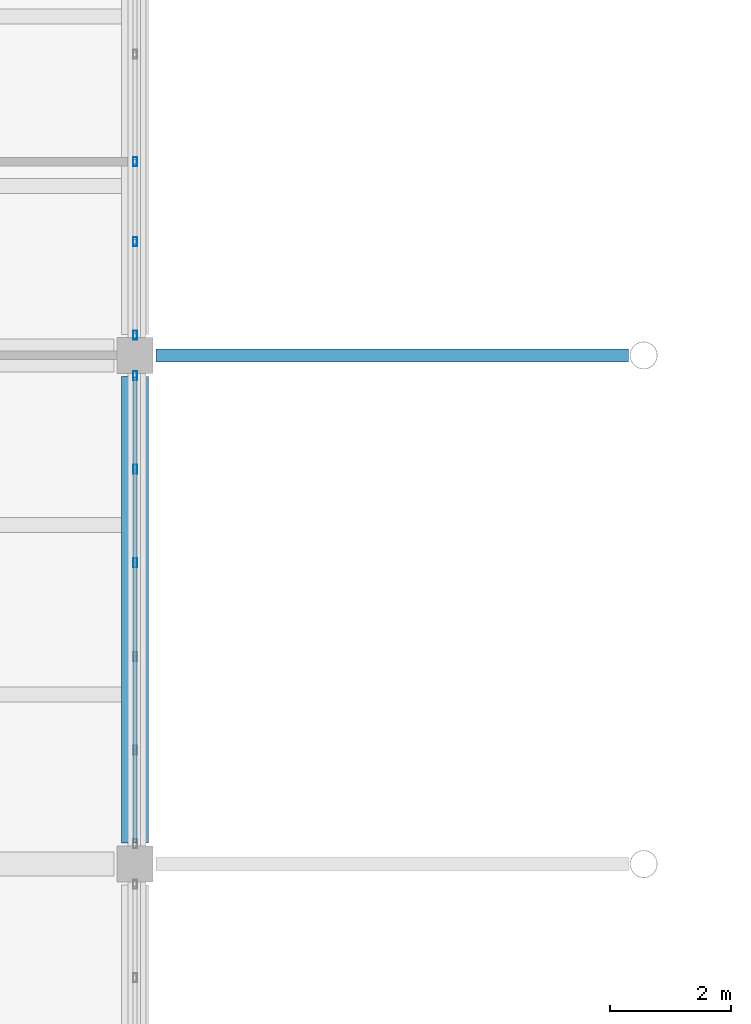
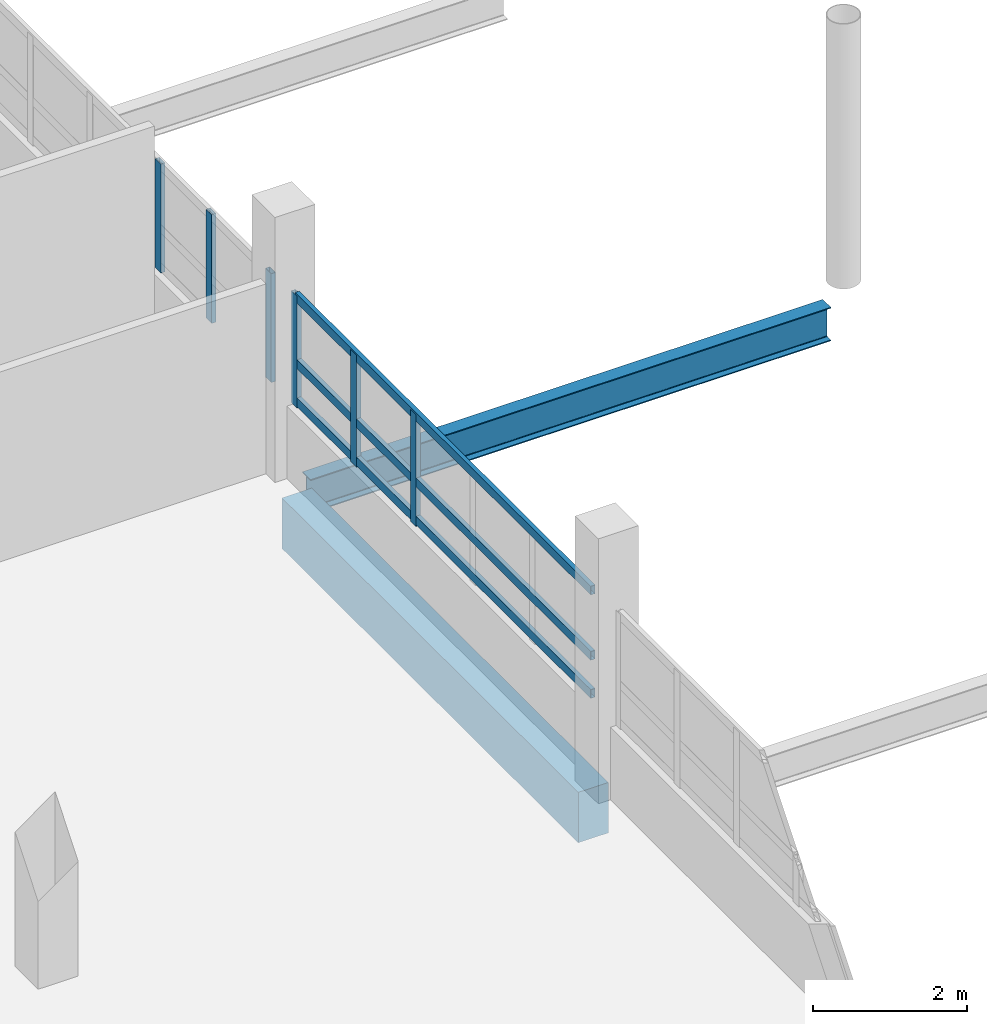
# One storey, part 31 of 101: 9 members, 2 beams, 2 elements without a shape of their own.
"""IFC4 building model written with IfcOpenShell, lengths in metres."""

from ifc_helpers import new_model, si_unit, direction, frame, origin, origin_2d, place, context, subcontext, project, spatial, rectangle, hollow_rectangle, i_section, extrude, material, layer, layer_set, material_profile, profile_set, type_object, element, aggregate, save


model = new_model("IFC4")

# Units and contexts
model_context = context("Model", 3, precision=1e-05, world=origin(), true_north=direction((0.0, 1.0)))
body_context = subcontext(model_context, "Body", "Model", "MODEL_VIEW")
ifc_project = project(units=[si_unit("LENGTHUNIT", "METRE"), si_unit("AREAUNIT", "SQUARE_METRE"), si_unit("VOLUMEUNIT", "CUBIC_METRE"), si_unit("PLANEANGLEUNIT", "RADIAN"), si_unit("MASSUNIT", "GRAM", prefix="KILO")], contexts=[model_context])

# Site, building, storey
site_placement = place(None, origin())
site = spatial("IfcSite", under=ifc_project, at=site_placement, CompositionType="ELEMENT")
building_placement = place(site_placement, origin())
building = spatial("IfcBuilding", under=site, at=building_placement, Name="Vireocrest Preparatory School", CompositionType="ELEMENT")
storey_placement = place(building_placement, frame((0.0, 0.0, 4.800048828125)))
storey = spatial("IfcBuildingStorey", under=building, at=storey_placement, Name="L01", CompositionType="ELEMENT", Elevation=4.800048828125)

# Curtain wall, members
ifc_material_1 = material(Name="Thermally broken aluminium EN AW-6063-T6", Category="aluminium")
ifc_layer = layer(ifc_material_1, 0.179931640625)
ifc_layer_set = layer_set([ifc_layer], Name="Thermally broken aluminium EN AW-6063-T6")
curtain_wall_type = type_object("IfcCurtainWallType", Name="Court Banded Curtain Wall 8400x3000", PredefinedType="USERDEFINED", material=ifc_layer_set)
curtain_wall_1_placement = place(storey_placement, origin())
curtain_wall_1 = element("IfcCurtainWall", 1, at=curtain_wall_1_placement, inside=storey, type_object=curtain_wall_type, Name="Curtain Wall CW02 CW_L01_CW02_0672_0525_060", ObjectType="CURTAIN WALL", PredefinedType="USERDEFINED")
ifc_material_profile_1 = material_profile(ifc_material_1, hollow_rectangle(XDim=0.06494140625, YDim=0.14990234375, WallThickness=0.00390625, at=origin_2d()), Name="ALU 65x150x4")
ifc_profile_set_1 = profile_set([ifc_material_profile_1], Name="Thermally broken aluminium EN AW-6063-T6")
member_type_1 = type_object("IfcMemberType", Name="CW Mullion 65x150x4", PredefinedType="MULLION", material=ifc_profile_set_1)
member_1_placement = place(storey_placement, frame((67.199951171875, 57.173095703125, 1.14990234375), z_axis=(0.0, 0.0, 1.0), x_axis=(1.0, 0.0, 0.0)))
member_1 = element("IfcMember", 2, at=member_1_placement, type_object=member_type_1, Name="CW Mullion ML1 CW_L01_CW02_0672_0525_060-4", PredefinedType="MULLION", context=body_context, shape_type="SweptSolid", body=[
    extrude(hollow_rectangle(XDim=0.06494140625, YDim=0.14990234375, WallThickness=0.00390625, at=origin_2d()), origin(), (0.0, 0.0, 1.0), 1.775146484375),
])
member_2_placement = place(storey_placement, frame((67.199951171875, 58.718994140625, 1.14990234375), z_axis=(0.0, 0.0, 1.0), x_axis=(1.0, 0.0, 0.0)))
member_2 = element("IfcMember", 3, at=member_2_placement, type_object=member_type_1, Name="CW Mullion ML1 CW_L01_CW02_0672_0525_060-5", PredefinedType="MULLION", context=body_context, shape_type="SweptSolid", body=[
    extrude(hollow_rectangle(XDim=0.06494140625, YDim=0.14990234375, WallThickness=0.00390625, at=origin_2d()), origin(), (0.0, 0.0, 1.0), 1.775146484375),
])
member_3_placement = place(storey_placement, frame((67.199951171875, 60.264892578125, 1.14990234375), z_axis=(0.0, 0.0, 1.0), x_axis=(1.0, 0.0, 0.0)))
member_3 = element("IfcMember", 4, at=member_3_placement, type_object=member_type_1, Name="CW Mullion ML1 CW_L01_CW02_0672_0525_060-6", PredefinedType="MULLION", context=body_context, shape_type="SweptSolid", body=[
    extrude(hollow_rectangle(XDim=0.06494140625, YDim=0.14990234375, WallThickness=0.00390625, at=origin_2d()), origin(), (0.0, 0.0, 1.0), 1.775146484375),
])

curtain_wall_2_placement = place(storey_placement, origin())
curtain_wall_2 = element("IfcCurtainWall", 5, at=curtain_wall_2_placement, inside=storey, type_object=curtain_wall_type, Name="Curtain Wall CW02 CW_L01_CW02_0672_0609_060", ObjectType="CURTAIN WALL", PredefinedType="USERDEFINED")
member_4_placement = place(storey_placement, frame((67.199951171875, 60.93505859375, 1.14990234375), z_axis=(0.0, 0.0, 1.0), x_axis=(1.0, 0.0, 0.0)))
member_4 = element("IfcMember", 6, at=member_4_placement, type_object=member_type_1, Name="CW Mullion ML1 CW_L01_CW02_0672_0609_060-1", PredefinedType="MULLION", context=body_context, shape_type="SweptSolid", body=[
    extrude(hollow_rectangle(XDim=0.06494140625, YDim=0.14990234375, WallThickness=0.00390625, at=origin_2d()), origin(), (0.0, 0.0, 1.0), 1.72509765625),
])
member_5_placement = place(storey_placement, frame((67.199951171875, 62.48095703125, 1.14990234375), z_axis=(0.0, 0.0, 1.0), x_axis=(1.0, 0.0, 0.0)))
member_5 = element("IfcMember", 7, at=member_5_placement, type_object=member_type_1, Name="CW Mullion ML1 CW_L01_CW02_0672_0609_060-2", PredefinedType="MULLION", context=body_context, shape_type="SweptSolid", body=[
    extrude(hollow_rectangle(XDim=0.06494140625, YDim=0.14990234375, WallThickness=0.00390625, at=origin_2d()), origin(), (0.0, 0.0, 1.0), 1.72509765625),
])
member_6_placement = place(storey_placement, frame((67.199951171875, 63.800048828125, 1.14990234375), z_axis=(0.0, 0.0, 1.0), x_axis=(1.0, 0.0, 0.0)))
member_6 = element("IfcMember", 8, at=member_6_placement, type_object=member_type_1, Name="CW Mullion ML1 CW_L01_CW02_0672_0609_060-3", PredefinedType="MULLION", context=body_context, shape_type="SweptSolid", body=[
    extrude(hollow_rectangle(XDim=0.06494140625, YDim=0.14990234375, WallThickness=0.00390625, at=origin_2d()), origin(), (0.0, 0.0, 1.0), 1.72509765625),
])
aggregate(curtain_wall_2, [member_4, member_5, member_6])

# Member
ifc_material_profile_2 = material_profile(ifc_material_1, hollow_rectangle(XDim=0.06494140625, YDim=0.139892578125, WallThickness=0.00390625, at=origin_2d()), Name="ALU 65x140x4")
ifc_profile_set_2 = profile_set([ifc_material_profile_2], Name="Thermally broken aluminium EN AW-6063-T6")
member_type_2 = type_object("IfcMemberType", Name="CW Transom 65x140x4", PredefinedType="USERDEFINED", material=ifc_profile_set_2)
member_7_placement = place(storey_placement, frame((67.199951171875, 52.56005859375, 1.244873046875), z_axis=(0.0, 1.0, 0.0), x_axis=(-1.0, 0.0, 0.0)))
member_7 = element("IfcMember", 9, at=member_7_placement, type_object=member_type_2, Name="CW Transom TR1 CW_L01_CW02_0672_0525_060-1", ObjectType="TRANSOM", PredefinedType="USERDEFINED", context=body_context, shape_type="SweptSolid", body=[
    extrude(hollow_rectangle(XDim=0.06494140625, YDim=0.139892578125, WallThickness=0.00390625, at=origin_2d()), origin(), (0.0, 0.0, 1.0), 7.679931640625),
])

member_8_placement = place(storey_placement, frame((67.199951171875, 52.56005859375, 1.849853515625), z_axis=(0.0, 1.0, 0.0), x_axis=(-1.0, 0.0, 0.0)))
member_8 = element("IfcMember", 10, at=member_8_placement, type_object=member_type_2, Name="CW Transom TR1 CW_L01_CW02_0672_0525_060-2", ObjectType="TRANSOM", PredefinedType="USERDEFINED", context=body_context, shape_type="SweptSolid", body=[
    extrude(hollow_rectangle(XDim=0.06494140625, YDim=0.139892578125, WallThickness=0.00390625, at=origin_2d()), origin(), (0.0, 0.0, 1.0), 7.679931640625),
])

member_9_placement = place(storey_placement, frame((67.199951171875, 52.56005859375, 2.885009765625), z_axis=(0.0, 1.0, 0.0), x_axis=(-1.0, 0.0, 0.0)))
member_9 = element("IfcMember", 11, at=member_9_placement, type_object=member_type_2, Name="CW Transom TR1 CW_L01_CW02_0672_0525_060-3", ObjectType="TRANSOM", PredefinedType="USERDEFINED", context=body_context, shape_type="SweptSolid", body=[
    extrude(hollow_rectangle(XDim=0.06494140625, YDim=0.139892578125, WallThickness=0.00390625, at=origin_2d()), origin(), (0.0, 0.0, 1.0), 7.679931640625),
])

aggregate(curtain_wall_1, [member_1, member_2, member_3, member_7, member_8, member_9])

# Beams
ifc_material_2 = material(Name="Structural steel ASTM A992 Grade 50", Category="steel")
ifc_material_profile_3 = material_profile(ifc_material_2, i_section(OverallWidth=0.208984375, OverallDepth=0.532958984375, WebThickness=0.01025390625, FlangeThickness=0.015625, FilletRadius=0.014892578125, at=origin_2d()), Name="W21X62")
ifc_profile_set_3 = profile_set([ifc_material_profile_3], Name="Structural steel ASTM A992 Grade 50")
beam_type_1 = type_object("IfcBeamType", Name="Court Tie Girder W21X62", PredefinedType="BEAM", material=ifc_profile_set_3)
beam_1_placement = place(storey_placement, frame((67.544921875, 60.60009765625, -0.566650390625), z_axis=(1.0, 0.0, 0.0), x_axis=(0.0, 1.0, 0.0)))
element("IfcBeam", 12, at=beam_1_placement, inside=storey, type_object=beam_type_1, Name="Court Trunk Lateral Tie Girder SB5 W5 L01", PredefinedType="BEAM", context=body_context, shape_type="SweptSolid", body=[
    extrude(i_section(OverallWidth=0.208984375, OverallDepth=0.532958984375, WebThickness=0.01025390625, FlangeThickness=0.015625, FilletRadius=0.014892578125, at=origin_2d()), origin(), (0.0, 0.0, 1.0), 7.80615234375),
])
ifc_material_3 = material(Name="Concrete 40 MPa", Category="concrete")
ifc_material_profile_4 = material_profile(ifc_material_3, rectangle(XDim=0.449951171875, YDim=0.800048828125, at=origin_2d()), Name="RC 450x800")
ifc_profile_set_4 = profile_set([ifc_material_profile_4], Name="Concrete 40 MPa")
beam_type_2 = type_object("IfcBeamType", Name="RC Library Stack Girder 450x800", PredefinedType="BEAM", material=ifc_profile_set_4)
beam_2_placement = place(storey_placement, frame((67.199951171875, 52.550048828125, -0.64013671875), z_axis=(0.0, 1.0, 0.0), x_axis=(-1.0, 0.0, 0.0)))
element("IfcBeam", 13, at=beam_2_placement, inside=storey, type_object=beam_type_2, Name="Primary Girder B12 L01-0419", PredefinedType="BEAM", context=body_context, shape_type="SweptSolid", body=[
    extrude(rectangle(XDim=0.449951171875, YDim=0.800048828125, at=origin_2d()), origin(), (0.0, 0.0, 1.0), 7.699951171875),
])

save(model, "model.ifc")
